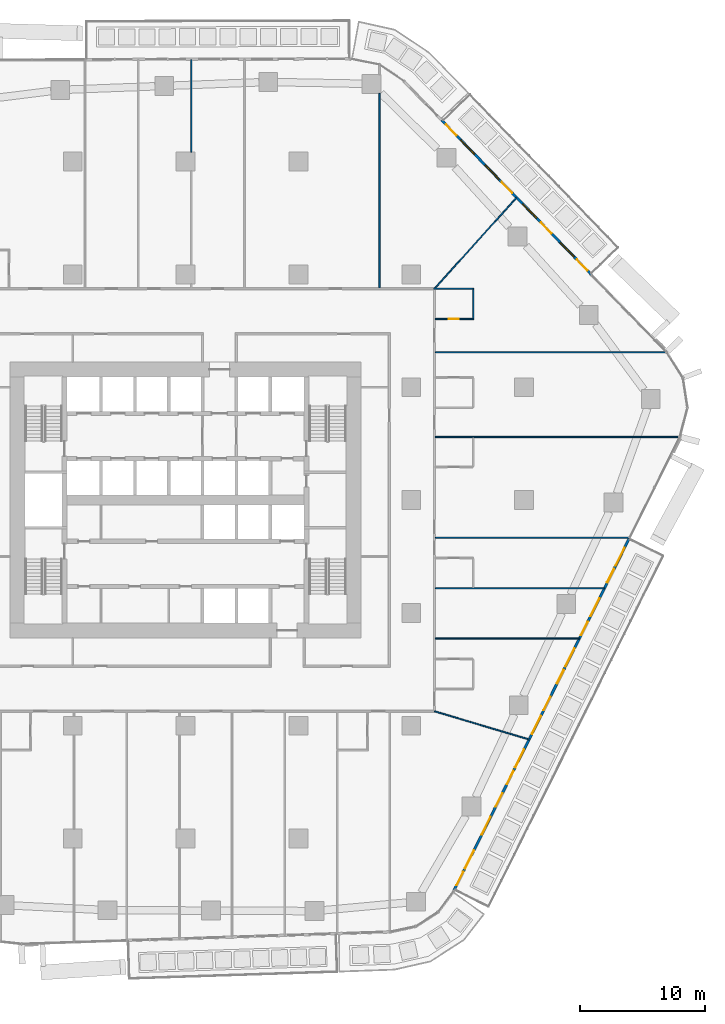
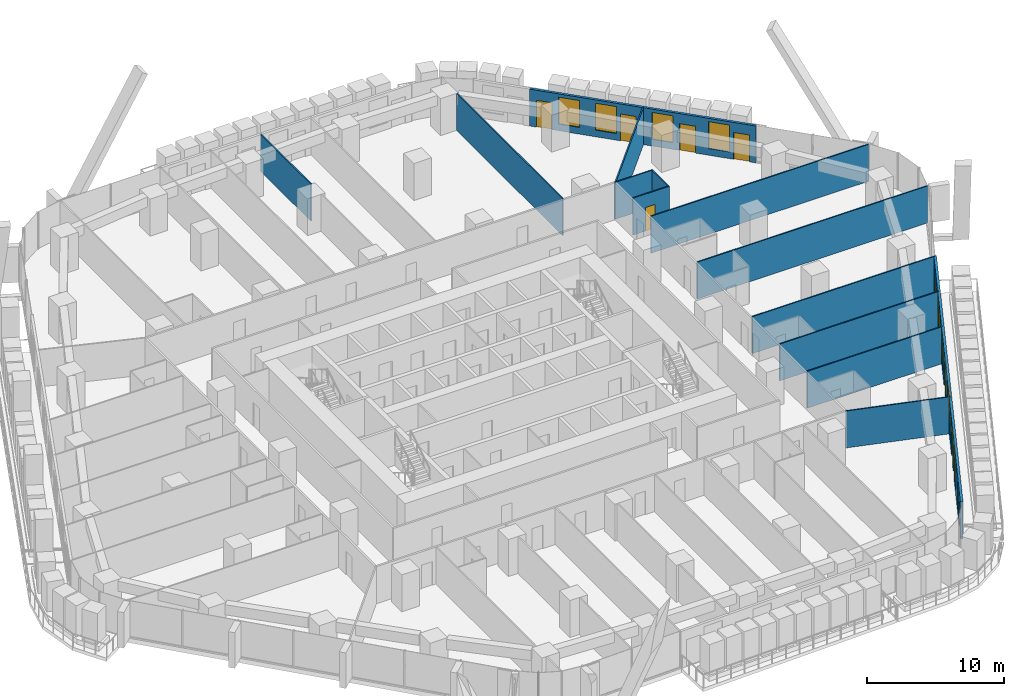
# One storey, part 18 of 27: 14 walls, 12 doors, 11 windows, 23 openings.
"""IFC4 building model written with IfcOpenShell, lengths in metres."""

from ifc_helpers import new_model, si_unit, direction, frame, frame_2d, origin, place, context, subcontext, project, spatial, rectangle, extrude, material, layer, layer_set, type_object, element, fill, save


model = new_model("IFC4")

# Units and contexts
model_context = context("Model", 3, precision=1e-05, world=origin(), true_north=direction((0.0, 1.0)))
body_context = subcontext(model_context, "Body", "Model", "MODEL_VIEW")
ifc_project = project(units=[si_unit("LENGTHUNIT", "METRE"), si_unit("AREAUNIT", "SQUARE_METRE"), si_unit("VOLUMEUNIT", "CUBIC_METRE"), si_unit("PLANEANGLEUNIT", "RADIAN"), si_unit("MASSUNIT", "GRAM", prefix="KILO")], contexts=[model_context])

# Site, building, storey
site_placement = place(None, origin())
site = spatial("IfcSite", under=ifc_project, at=site_placement, CompositionType="ELEMENT")
building_placement = place(site_placement, origin())
building = spatial("IfcBuilding", under=site, at=building_placement, Name="Dongbaek Canopy Tower", CompositionType="ELEMENT")
storey_placement = place(building_placement, frame((0.0, 0.0, 62.5)))
storey = spatial("IfcBuildingStorey", under=building, at=storey_placement, Name="L11", CompositionType="ELEMENT", Elevation=62.5)

# Walls
ifc_material_1 = material(Name="Gypsum board partition, steel stud, 2 x 12.5 mm board", Category="steel")
ifc_layer_1 = layer(ifc_material_1, 0.10009765625)
ifc_layer_set_1 = layer_set([ifc_layer_1], Name="Partition 100 gypsum board")
wall_type_1 = type_object("IfcWallType", Name="Partition 100 gypsum board", PredefinedType="PARTITIONING", material=ifc_layer_set_1)
wall_1_placement = place(storey_placement, frame((19.925048828125, -11.054931640625, 0.0), z_axis=(0.0, 0.0, 1.0), x_axis=(1.0, 0.0, 0.0)))
element("IfcWall", 1, at=wall_1_placement, inside=storey, type_object=wall_type_1, Name="Partition", PredefinedType="PARTITIONING", context=body_context, shape_type="SweptSolid", body=[
    extrude(rectangle(XDim=11.460205078125, YDim=0.10009765625, at=frame_2d((5.72998046875, 0.0))), origin(), (0.0, 0.0, 1.0), 3.300048828125),
])
wall_2_placement = place(storey_placement, frame((19.925048828125, -7.030029296875, 0.0), z_axis=(0.0, 0.0, 1.0), x_axis=(1.0, 0.0, 0.0)))
element("IfcWall", 2, at=wall_2_placement, inside=storey, type_object=wall_type_1, Name="Partition", PredefinedType="PARTITIONING", context=body_context, shape_type="SweptSolid", body=[
    extrude(rectangle(XDim=13.463623046875, YDim=0.10009765625, at=frame_2d((6.73193359375, 0.0))), origin(), (0.0, 0.0, 1.0), 3.300048828125),
])
wall_3_placement = place(storey_placement, frame((19.925048828125, -3.006103515625, 0.0), z_axis=(0.0, 0.0, 1.0), x_axis=(1.0, 0.0, 0.0)))
element("IfcWall", 3, at=wall_3_placement, inside=storey, type_object=wall_type_1, Name="Partition", PredefinedType="PARTITIONING", context=body_context, shape_type="SweptSolid", body=[
    extrude(rectangle(XDim=15.467041015625, YDim=0.10009765625, at=frame_2d((7.7333984375, 0.0))), origin(), (0.0, 0.0, 1.0), 3.300048828125),
])
wall_4_placement = place(storey_placement, frame((19.925048828125, 5.034912109375, 0.0), z_axis=(0.0, 0.0, 1.0), x_axis=(1.0, 0.0, 0.0)))
element("IfcWall", 4, at=wall_4_placement, inside=storey, type_object=wall_type_1, Name="Partition", PredefinedType="PARTITIONING", context=body_context, shape_type="SweptSolid", body=[
    extrude(rectangle(XDim=19.47021484375, YDim=0.10009765625, at=frame_2d((9.735107421875, 0.0))), origin(), (0.0, 0.0, 1.0), 3.300048828125),
])
wall_5_placement = place(storey_placement, frame((19.925048828125, 11.787109375, 0.0), z_axis=(0.0, 0.0, 1.0), x_axis=(1.0, 0.0, 0.0)))
element("IfcWall", 5, at=wall_5_placement, inside=storey, type_object=wall_type_1, Name="Partition", PredefinedType="PARTITIONING", context=body_context, shape_type="SweptSolid", body=[
    extrude(rectangle(XDim=18.416748046875, YDim=0.10009765625, at=frame_2d((9.20849609375, 0.0))), origin(), (0.0, 0.0, 1.0), 3.300048828125),
])

# Wall, opening, door
wall_6_placement = place(storey_placement, frame((19.925048828125, 14.449951171875, 0.0), z_axis=(0.0, 0.0, 1.0), x_axis=(1.0, 0.0, 0.0)))
wall_6 = element("IfcWall", 6, at=wall_6_placement, inside=storey, type_object=wall_type_1, Name="Partition", PredefinedType="PARTITIONING", context=body_context, shape_type="SweptSolid", body=[
    extrude(rectangle(XDim=3.074951171875, YDim=0.10009765625, at=frame_2d((1.53759765625, 0.0))), origin(), (0.0, 0.0, 1.0), 3.300048828125),
])
opening_1_placement = place(wall_6_placement, frame((1.074951171875, 0.0, 0.0)))
opening_1 = element("IfcOpeningElement", 7, at=opening_1_placement, cuts=wall_6, Name="Opening L11-D023", PredefinedType="OPENING", context=body_context, shape_type="SweptSolid", body=[
    extrude(rectangle(XDim=0.800048828125, YDim=2.10009765625, at=frame_2d((0.39990234375, 1.050048828125))), frame((0.0, 0.06005859375, 0.0), z_axis=(0.0, -1.0, 0.0), x_axis=(1.0, 0.0, 0.0)), (0.0, 0.0, 1.0), 0.1201171875),
])
ifc_material_2 = material(Name="Timber veneered door leaf", Category="wood")
door_type_1 = type_object("IfcDoorType", Name="En-suite door 800 x 2100", OperationType="SINGLE_SWING_LEFT", PredefinedType="DOOR", material=ifc_material_2)
door_1_placement = place(opening_1_placement, origin())
door_1 = element("IfcDoor", 8, at=door_1_placement, inside=storey, type_object=door_type_1, Name="Door L11-D023", OperationType="SINGLE_SWING_RIGHT", OverallHeight=2.10009765625, OverallWidth=0.800048828125, PredefinedType="DOOR", context=body_context, shape_type="SweptSolid", body=[
    extrude(rectangle(XDim=0.800048828125, YDim=2.10009765625, at=frame_2d((0.39990234375, 1.050048828125))), frame((0.0, 0.02490234375, 0.0), z_axis=(0.0, -1.0, 0.0), x_axis=(1.0, 0.0, 0.0)), (0.0, 0.0, 1.0), 0.050048828125),
])
fill(opening_1, door_1)

# Walls
wall_7_placement = place(storey_placement, frame((19.77490234375, 16.85009765625, 0.0), z_axis=(0.0, 0.0, 1.0), x_axis=(1.0, 0.0, 0.0)))
element("IfcWall", 9, at=wall_7_placement, inside=storey, type_object=wall_type_1, Name="Partition", PredefinedType="PARTITIONING", context=body_context, shape_type="SweptSolid", body=[
    extrude(rectangle(XDim=3.22509765625, YDim=0.10009765625, at=frame_2d((1.612548828125, 0.0))), origin(), (0.0, 0.0, 1.0), 3.300048828125),
])
wall_8_placement = place(storey_placement, frame((19.849853515625, 16.85009765625, 0.0), z_axis=(0.0, 0.0, 1.0), x_axis=(0.668734291705, 0.743501477536, 0.0)))
element("IfcWall", 10, at=wall_8_placement, inside=storey, type_object=wall_type_1, Name="Partition", PredefinedType="PARTITIONING", context=body_context, shape_type="SweptSolid", body=[
    extrude(rectangle(XDim=9.7763671875, YDim=0.10009765625, at=frame_2d((4.88818359375, 0.0))), origin(), (0.0, 0.0, 1.0), 3.300048828125),
])
wall_9_placement = place(storey_placement, frame((22.949951171875, 14.5, 0.0), z_axis=(0.0, 0.0, 1.0), x_axis=(0.0, 1.0, 0.0)))
element("IfcWall", 11, at=wall_9_placement, inside=storey, type_object=wall_type_1, Name="Partition", PredefinedType="PARTITIONING", context=body_context, shape_type="SweptSolid", body=[
    extrude(rectangle(XDim=2.300048828125, YDim=0.10009765625, at=frame_2d((1.14990234375, 0.0))), origin(), (0.0, 0.0, 1.0), 3.300048828125),
])
wall_10_placement = place(storey_placement, frame((15.47509765625, 16.925048828125, 0.0), z_axis=(0.0, 0.0, 1.0), x_axis=(0.0, 1.0, 0.0)))
element("IfcWall", 12, at=wall_10_placement, inside=storey, type_object=wall_type_1, Name="Partition", PredefinedType="PARTITIONING", context=body_context, shape_type="SweptSolid", body=[
    extrude(rectangle(XDim=15.51904296875, YDim=0.10009765625, at=frame_2d((7.759521484375, 0.0))), origin(), (0.0, 0.0, 1.0), 3.300048828125),
])
wall_11_placement = place(storey_placement, frame((0.450927734375, 27.75, 0.0), z_axis=(0.0, 0.0, 1.0), x_axis=(0.0, 1.0, 0.0)))
element("IfcWall", 13, at=wall_11_placement, inside=storey, type_object=wall_type_1, Name="Partition", PredefinedType="PARTITIONING", context=body_context, shape_type="SweptSolid", body=[
    extrude(rectangle(XDim=7.388671875, YDim=0.10009765625, at=frame_2d((3.6943359375, 0.0))), origin(), (0.0, 0.0, 1.0), 3.300048828125),
])
wall_12_placement = place(storey_placement, frame((19.849853515625, -16.850341796875, 0.0), z_axis=(0.0, 0.0, 1.0), x_axis=(0.958273131703, -0.285854167464, 0.0)))
element("IfcWall", 14, at=wall_12_placement, inside=storey, type_object=wall_type_1, Name="Partition", PredefinedType="PARTITIONING", context=body_context, shape_type="SweptSolid", body=[
    extrude(rectangle(XDim=7.859130859375, YDim=0.10009765625, at=frame_2d((3.9296875, 0.0))), origin(), (0.0, 0.0, 1.0), 3.300048828125),
])

# Wall, openings, doors, windows
ifc_material_3 = material(Name="Aluminium window wall", Category="aluminium")
ifc_layer_2 = layer(ifc_material_3, 0.199951171875)
ifc_layer_set_2 = layer_set([ifc_layer_2], Name="Window wall 200")
wall_type_2 = type_object("IfcWallType", Name="Window wall 200", PredefinedType="SOLIDWALL", material=ifc_layer_set_2)
wall_13_placement = place(storey_placement, frame((32.388916015625, 17.95703125, 0.0), z_axis=(0.0, 0.0, 1.0), x_axis=(-0.696038792441, 0.718004177855, 0.0)))
wall_13 = element("IfcWall", 15, at=wall_13_placement, inside=storey, type_object=wall_type_2, Name="Window wall L11 1", PredefinedType="SOLIDWALL", context=body_context, shape_type="SweptSolid", body=[
    extrude(rectangle(XDim=17.205810546875, YDim=0.199951171875, at=frame_2d((8.60302734375, 0.0))), origin(), (0.0, 0.0, 1.0), 3.300048828125),
])
opening_2_placement = place(wall_13_placement, frame((2.0, 0.0, 0.60009765625)))
opening_2 = element("IfcOpeningElement", 16, at=opening_2_placement, cuts=wall_13, Name="Opening W1", PredefinedType="OPENING", context=body_context, shape_type="SweptSolid", body=[
    extrude(rectangle(XDim=1.60009765625, YDim=2.39990234375, at=frame_2d((0.800048828125, 1.199951171875))), frame((0.0, 0.10986328125, 0.0), z_axis=(0.0, -1.0, 0.0), x_axis=(1.0, 0.0, 0.0)), (0.0, 0.0, 1.0), 0.219970703125),
])
opening_3_placement = place(wall_13_placement, frame((0.5, 0.0, 0.0)))
opening_3 = element("IfcOpeningElement", 17, at=opening_3_placement, cuts=wall_13, Name="Opening L11-B01", PredefinedType="OPENING", context=body_context, shape_type="SweptSolid", body=[
    extrude(rectangle(XDim=1.199951171875, YDim=2.39990234375, at=frame_2d((0.60009765625, 1.199951171875))), frame((0.0, 0.10986328125, 0.0), z_axis=(0.0, -1.0, 0.0), x_axis=(1.0, 0.0, 0.0)), (0.0, 0.0, 1.0), 0.219970703125),
])
opening_4_placement = place(wall_13_placement, frame((6.301513671875, 0.0, 0.60009765625)))
opening_4 = element("IfcOpeningElement", 18, at=opening_4_placement, cuts=wall_13, Name="Opening W1", PredefinedType="OPENING", context=body_context, shape_type="SweptSolid", body=[
    extrude(rectangle(XDim=1.60009765625, YDim=2.39990234375, at=frame_2d((0.800048828125, 1.199951171875))), frame((0.0, 0.10986328125, 0.0), z_axis=(0.0, -1.0, 0.0), x_axis=(1.0, 0.0, 0.0)), (0.0, 0.0, 1.0), 0.219970703125),
])
opening_5_placement = place(wall_13_placement, frame((4.601318359375, 0.0, 0.0)))
opening_5 = element("IfcOpeningElement", 19, at=opening_5_placement, cuts=wall_13, Name="Opening L11-B02", PredefinedType="OPENING", context=body_context, shape_type="SweptSolid", body=[
    extrude(rectangle(XDim=1.199951171875, YDim=2.39990234375, at=frame_2d((0.60009765625, 1.199951171875))), frame((0.0, 0.10986328125, 0.0), z_axis=(0.0, -1.0, 0.0), x_axis=(1.0, 0.0, 0.0)), (0.0, 0.0, 1.0), 0.219970703125),
])
opening_6_placement = place(wall_13_placement, frame((10.602783203125, 0.0, 0.60009765625)))
opening_6 = element("IfcOpeningElement", 20, at=opening_6_placement, cuts=wall_13, Name="Opening W1", PredefinedType="OPENING", context=body_context, shape_type="SweptSolid", body=[
    extrude(rectangle(XDim=1.60009765625, YDim=2.39990234375, at=frame_2d((0.800048828125, 1.199951171875))), frame((0.0, 0.10986328125, 0.0), z_axis=(0.0, -1.0, 0.0), x_axis=(1.0, 0.0, 0.0)), (0.0, 0.0, 1.0), 0.219970703125),
])
opening_7_placement = place(wall_13_placement, frame((9.102783203125, 0.0, 0.0)))
opening_7 = element("IfcOpeningElement", 21, at=opening_7_placement, cuts=wall_13, Name="Opening L11-B03", PredefinedType="OPENING", context=body_context, shape_type="SweptSolid", body=[
    extrude(rectangle(XDim=1.199951171875, YDim=2.39990234375, at=frame_2d((0.60009765625, 1.199951171875))), frame((0.0, 0.10986328125, 0.0), z_axis=(0.0, -1.0, 0.0), x_axis=(1.0, 0.0, 0.0)), (0.0, 0.0, 1.0), 0.219970703125),
])
opening_8_placement = place(wall_13_placement, frame((13.404296875, 0.0, 0.60009765625)))
opening_8 = element("IfcOpeningElement", 22, at=opening_8_placement, cuts=wall_13, Name="Opening W1", PredefinedType="OPENING", context=body_context, shape_type="SweptSolid", body=[
    extrude(rectangle(XDim=1.60009765625, YDim=2.39990234375, at=frame_2d((0.800048828125, 1.199951171875))), frame((0.0, 0.10986328125, 0.0), z_axis=(0.0, -1.0, 0.0), x_axis=(1.0, 0.0, 0.0)), (0.0, 0.0, 1.0), 0.219970703125),
])
opening_9_placement = place(wall_13_placement, frame((15.50439453125, 0.0, 0.0)))
opening_9 = element("IfcOpeningElement", 23, at=opening_9_placement, cuts=wall_13, Name="Opening L11-B04", PredefinedType="OPENING", context=body_context, shape_type="SweptSolid", body=[
    extrude(rectangle(XDim=1.199951171875, YDim=2.39990234375, at=frame_2d((0.60009765625, 1.199951171875))), frame((0.0, 0.10986328125, 0.0), z_axis=(0.0, -1.0, 0.0), x_axis=(1.0, 0.0, 0.0)), (0.0, 0.0, 1.0), 0.219970703125),
])
ifc_material_4 = material(Name="Clear glazing in aluminium frame", Category="aluminium")
door_type_2 = type_object("IfcDoorType", Name="Balcony door BD1 1200 x 2400", OperationType="SLIDING_TO_LEFT", PredefinedType="DOOR", material=ifc_material_4)
door_2_placement = place(opening_3_placement, origin())
door_2 = element("IfcDoor", 24, at=door_2_placement, inside=storey, type_object=door_type_2, Name="Balcony door L11-B01", OperationType="SLIDING_TO_LEFT", OverallHeight=2.39990234375, OverallWidth=1.199951171875, PredefinedType="DOOR", context=body_context, shape_type="SweptSolid", body=[
    extrude(rectangle(XDim=1.199951171875, YDim=2.39990234375, at=frame_2d((0.60009765625, 1.199951171875))), frame((0.0, 0.02490234375, 0.0), z_axis=(0.0, -1.0, 0.0), x_axis=(1.0, 0.0, 0.0)), (0.0, 0.0, 1.0), 0.050048828125),
])
fill(opening_3, door_2)
door_3_placement = place(opening_5_placement, origin())
door_3 = element("IfcDoor", 25, at=door_3_placement, inside=storey, type_object=door_type_2, Name="Balcony door L11-B02", OperationType="SLIDING_TO_LEFT", OverallHeight=2.39990234375, OverallWidth=1.199951171875, PredefinedType="DOOR", context=body_context, shape_type="SweptSolid", body=[
    extrude(rectangle(XDim=1.199951171875, YDim=2.39990234375, at=frame_2d((0.60009765625, 1.199951171875))), frame((0.0, 0.02490234375, 0.0), z_axis=(0.0, -1.0, 0.0), x_axis=(1.0, 0.0, 0.0)), (0.0, 0.0, 1.0), 0.050048828125),
])
fill(opening_5, door_3)
door_4_placement = place(opening_7_placement, origin())
door_4 = element("IfcDoor", 26, at=door_4_placement, inside=storey, type_object=door_type_2, Name="Balcony door L11-B03", OperationType="SLIDING_TO_LEFT", OverallHeight=2.39990234375, OverallWidth=1.199951171875, PredefinedType="DOOR", context=body_context, shape_type="SweptSolid", body=[
    extrude(rectangle(XDim=1.199951171875, YDim=2.39990234375, at=frame_2d((0.60009765625, 1.199951171875))), frame((0.0, 0.02490234375, 0.0), z_axis=(0.0, -1.0, 0.0), x_axis=(1.0, 0.0, 0.0)), (0.0, 0.0, 1.0), 0.050048828125),
])
fill(opening_7, door_4)
door_5_placement = place(opening_9_placement, origin())
door_5 = element("IfcDoor", 27, at=door_5_placement, inside=storey, type_object=door_type_2, Name="Balcony door L11-B04", OperationType="SLIDING_TO_LEFT", OverallHeight=2.39990234375, OverallWidth=1.199951171875, PredefinedType="DOOR", context=body_context, shape_type="SweptSolid", body=[
    extrude(rectangle(XDim=1.199951171875, YDim=2.39990234375, at=frame_2d((0.60009765625, 1.199951171875))), frame((0.0, 0.02490234375, 0.0), z_axis=(0.0, -1.0, 0.0), x_axis=(1.0, 0.0, 0.0)), (0.0, 0.0, 1.0), 0.050048828125),
])
fill(opening_9, door_5)
ifc_material_5 = material(Name="Clear glazing in aluminium frame", Category="aluminium")
window_type = type_object("IfcWindowType", Name="Window W1 1600 x 2400", PartitioningType="SINGLE_PANEL", PredefinedType="WINDOW", material=ifc_material_5)
window_1_placement = place(opening_2_placement, origin())
window_1 = element("IfcWindow", 28, at=window_1_placement, inside=storey, type_object=window_type, Name="Window L11 1.1", OverallHeight=2.39990234375, OverallWidth=1.60009765625, PartitioningType="SINGLE_PANEL", PredefinedType="WINDOW", context=body_context, shape_type="SweptSolid", body=[
    extrude(rectangle(XDim=1.60009765625, YDim=2.39990234375, at=frame_2d((0.800048828125, 1.199951171875))), frame((0.0, 0.030029296875, 0.0), z_axis=(0.0, -1.0, 0.0), x_axis=(1.0, 0.0, 0.0)), (0.0, 0.0, 1.0), 0.06005859375),
])
fill(opening_2, window_1)
window_2_placement = place(opening_4_placement, origin())
window_2 = element("IfcWindow", 29, at=window_2_placement, inside=storey, type_object=window_type, Name="Window L11 1.2", OverallHeight=2.39990234375, OverallWidth=1.60009765625, PartitioningType="SINGLE_PANEL", PredefinedType="WINDOW", context=body_context, shape_type="SweptSolid", body=[
    extrude(rectangle(XDim=1.60009765625, YDim=2.39990234375, at=frame_2d((0.800048828125, 1.199951171875))), frame((0.0, 0.030029296875, 0.0), z_axis=(0.0, -1.0, 0.0), x_axis=(1.0, 0.0, 0.0)), (0.0, 0.0, 1.0), 0.06005859375),
])
fill(opening_4, window_2)
window_3_placement = place(opening_6_placement, origin())
window_3 = element("IfcWindow", 30, at=window_3_placement, inside=storey, type_object=window_type, Name="Window L11 1.3", OverallHeight=2.39990234375, OverallWidth=1.60009765625, PartitioningType="SINGLE_PANEL", PredefinedType="WINDOW", context=body_context, shape_type="SweptSolid", body=[
    extrude(rectangle(XDim=1.60009765625, YDim=2.39990234375, at=frame_2d((0.800048828125, 1.199951171875))), frame((0.0, 0.030029296875, 0.0), z_axis=(0.0, -1.0, 0.0), x_axis=(1.0, 0.0, 0.0)), (0.0, 0.0, 1.0), 0.06005859375),
])
fill(opening_6, window_3)
window_4_placement = place(opening_8_placement, origin())
window_4 = element("IfcWindow", 31, at=window_4_placement, inside=storey, type_object=window_type, Name="Window L11 1.4", OverallHeight=2.39990234375, OverallWidth=1.60009765625, PartitioningType="SINGLE_PANEL", PredefinedType="WINDOW", context=body_context, shape_type="SweptSolid", body=[
    extrude(rectangle(XDim=1.60009765625, YDim=2.39990234375, at=frame_2d((0.800048828125, 1.199951171875))), frame((0.0, 0.030029296875, 0.0), z_axis=(0.0, -1.0, 0.0), x_axis=(1.0, 0.0, 0.0)), (0.0, 0.0, 1.0), 0.06005859375),
])
fill(opening_8, window_4)

wall_14_placement = place(storey_placement, frame((21.390625, -31.1748046875, 0.0), z_axis=(0.0, 0.0, 1.0), x_axis=(0.445673586032, 0.895195539932, 0.0)))
wall_14 = element("IfcWall", 32, at=wall_14_placement, inside=storey, type_object=wall_type_2, Name="Window wall L11 5", PredefinedType="SOLIDWALL", context=body_context, shape_type="SweptSolid", body=[
    extrude(rectangle(XDim=31.46630859375, YDim=0.199951171875, at=frame_2d((15.733154296875, 0.0))), origin(), (0.0, 0.0, 1.0), 3.300048828125),
])
opening_10_placement = place(wall_14_placement, frame((2.0, 0.0, 0.60009765625)))
opening_10 = element("IfcOpeningElement", 33, at=opening_10_placement, cuts=wall_14, Name="Opening W1", PredefinedType="OPENING", context=body_context, shape_type="SweptSolid", body=[
    extrude(rectangle(XDim=1.60009765625, YDim=2.39990234375, at=frame_2d((0.800048828125, 1.199951171875))), frame((0.0, 0.10986328125, 0.0), z_axis=(0.0, -1.0, 0.0), x_axis=(1.0, 0.0, 0.0)), (0.0, 0.0, 1.0), 0.219970703125),
])
opening_11_placement = place(wall_14_placement, frame((0.5, 0.0, 0.0)))
opening_11 = element("IfcOpeningElement", 34, at=opening_11_placement, cuts=wall_14, Name="Opening L11-B23", PredefinedType="OPENING", context=body_context, shape_type="SweptSolid", body=[
    extrude(rectangle(XDim=1.199951171875, YDim=2.39990234375, at=frame_2d((0.60009765625, 1.199951171875))), frame((0.0, 0.10986328125, 0.0), z_axis=(0.0, -1.0, 0.0), x_axis=(1.0, 0.0, 0.0)), (0.0, 0.0, 1.0), 0.219970703125),
])
opening_12_placement = place(wall_14_placement, frame((4.9951171875, 0.0, 0.60009765625)))
opening_12 = element("IfcOpeningElement", 35, at=opening_12_placement, cuts=wall_14, Name="Opening W1", PredefinedType="OPENING", context=body_context, shape_type="SweptSolid", body=[
    extrude(rectangle(XDim=1.60009765625, YDim=2.39990234375, at=frame_2d((0.800048828125, 1.199951171875))), frame((0.0, 0.10986328125, 0.0), z_axis=(0.0, -1.0, 0.0), x_axis=(1.0, 0.0, 0.0)), (0.0, 0.0, 1.0), 0.219970703125),
])
opening_13_placement = place(wall_14_placement, frame((7.4951171875, 0.0, 0.0)))
opening_13 = element("IfcOpeningElement", 36, at=opening_13_placement, cuts=wall_14, Name="Opening L11-B24", PredefinedType="OPENING", context=body_context, shape_type="SweptSolid", body=[
    extrude(rectangle(XDim=1.199951171875, YDim=2.39990234375, at=frame_2d((0.60009765625, 1.199951171875))), frame((0.0, 0.10986328125, 0.0), z_axis=(0.0, -1.0, 0.0), x_axis=(1.0, 0.0, 0.0)), (0.0, 0.0, 1.0), 0.219970703125),
])
opening_14_placement = place(wall_14_placement, frame((10.990234375, 0.0, 0.60009765625)))
opening_14 = element("IfcOpeningElement", 37, at=opening_14_placement, cuts=wall_14, Name="Opening W1", PredefinedType="OPENING", context=body_context, shape_type="SweptSolid", body=[
    extrude(rectangle(XDim=1.60009765625, YDim=2.39990234375, at=frame_2d((0.800048828125, 1.199951171875))), frame((0.0, 0.10986328125, 0.0), z_axis=(0.0, -1.0, 0.0), x_axis=(1.0, 0.0, 0.0)), (0.0, 0.0, 1.0), 0.219970703125),
])
opening_15_placement = place(wall_14_placement, frame((9.490234375, 0.0, 0.0)))
opening_15 = element("IfcOpeningElement", 38, at=opening_15_placement, cuts=wall_14, Name="Opening L11-B25", PredefinedType="OPENING", context=body_context, shape_type="SweptSolid", body=[
    extrude(rectangle(XDim=1.199951171875, YDim=2.39990234375, at=frame_2d((0.60009765625, 1.199951171875))), frame((0.0, 0.10986328125, 0.0), z_axis=(0.0, -1.0, 0.0), x_axis=(1.0, 0.0, 0.0)), (0.0, 0.0, 1.0), 0.219970703125),
])
opening_16_placement = place(wall_14_placement, frame((13.985595703125, 0.0, 0.60009765625)))
opening_16 = element("IfcOpeningElement", 39, at=opening_16_placement, cuts=wall_14, Name="Opening W1", PredefinedType="OPENING", context=body_context, shape_type="SweptSolid", body=[
    extrude(rectangle(XDim=1.60009765625, YDim=2.39990234375, at=frame_2d((0.800048828125, 1.199951171875))), frame((0.0, 0.10986328125, 0.0), z_axis=(0.0, -1.0, 0.0), x_axis=(1.0, 0.0, 0.0)), (0.0, 0.0, 1.0), 0.219970703125),
])
opening_17_placement = place(wall_14_placement, frame((16.08544921875, 0.0, 0.0)))
opening_17 = element("IfcOpeningElement", 40, at=opening_17_placement, cuts=wall_14, Name="Opening L11-B26", PredefinedType="OPENING", context=body_context, shape_type="SweptSolid", body=[
    extrude(rectangle(XDim=1.199951171875, YDim=2.39990234375, at=frame_2d((0.60009765625, 1.199951171875))), frame((0.0, 0.10986328125, 0.0), z_axis=(0.0, -1.0, 0.0), x_axis=(1.0, 0.0, 0.0)), (0.0, 0.0, 1.0), 0.219970703125),
])
opening_18_placement = place(wall_14_placement, frame((19.980712890625, 0.0, 0.60009765625)))
opening_18 = element("IfcOpeningElement", 41, at=opening_18_placement, cuts=wall_14, Name="Opening W1", PredefinedType="OPENING", context=body_context, shape_type="SweptSolid", body=[
    extrude(rectangle(XDim=1.60009765625, YDim=2.39990234375, at=frame_2d((0.800048828125, 1.199951171875))), frame((0.0, 0.10986328125, 0.0), z_axis=(0.0, -1.0, 0.0), x_axis=(1.0, 0.0, 0.0)), (0.0, 0.0, 1.0), 0.219970703125),
])
opening_19_placement = place(wall_14_placement, frame((18.480712890625, 0.0, 0.0)))
opening_19 = element("IfcOpeningElement", 42, at=opening_19_placement, cuts=wall_14, Name="Opening L11-B27", PredefinedType="OPENING", context=body_context, shape_type="SweptSolid", body=[
    extrude(rectangle(XDim=1.199951171875, YDim=2.39990234375, at=frame_2d((0.60009765625, 1.199951171875))), frame((0.0, 0.10986328125, 0.0), z_axis=(0.0, -1.0, 0.0), x_axis=(1.0, 0.0, 0.0)), (0.0, 0.0, 1.0), 0.219970703125),
])
opening_20_placement = place(wall_14_placement, frame((24.475830078125, 0.0, 0.60009765625)))
opening_20 = element("IfcOpeningElement", 43, at=opening_20_placement, cuts=wall_14, Name="Opening W1", PredefinedType="OPENING", context=body_context, shape_type="SweptSolid", body=[
    extrude(rectangle(XDim=1.60009765625, YDim=2.39990234375, at=frame_2d((0.800048828125, 1.199951171875))), frame((0.0, 0.10986328125, 0.0), z_axis=(0.0, -1.0, 0.0), x_axis=(1.0, 0.0, 0.0)), (0.0, 0.0, 1.0), 0.219970703125),
])
opening_21_placement = place(wall_14_placement, frame((22.77587890625, 0.0, 0.0)))
opening_21 = element("IfcOpeningElement", 44, at=opening_21_placement, cuts=wall_14, Name="Opening L11-B28", PredefinedType="OPENING", context=body_context, shape_type="SweptSolid", body=[
    extrude(rectangle(XDim=1.199951171875, YDim=2.39990234375, at=frame_2d((0.60009765625, 1.199951171875))), frame((0.0, 0.10986328125, 0.0), z_axis=(0.0, -1.0, 0.0), x_axis=(1.0, 0.0, 0.0)), (0.0, 0.0, 1.0), 0.219970703125),
])
opening_22_placement = place(wall_14_placement, frame((28.970947265625, 0.0, 0.60009765625)))
opening_22 = element("IfcOpeningElement", 45, at=opening_22_placement, cuts=wall_14, Name="Opening W1", PredefinedType="OPENING", context=body_context, shape_type="SweptSolid", body=[
    extrude(rectangle(XDim=1.60009765625, YDim=2.39990234375, at=frame_2d((0.800048828125, 1.199951171875))), frame((0.0, 0.10986328125, 0.0), z_axis=(0.0, -1.0, 0.0), x_axis=(1.0, 0.0, 0.0)), (0.0, 0.0, 1.0), 0.219970703125),
])
opening_23_placement = place(wall_14_placement, frame((27.470947265625, 0.0, 0.0)))
opening_23 = element("IfcOpeningElement", 46, at=opening_23_placement, cuts=wall_14, Name="Opening L11-B29", PredefinedType="OPENING", context=body_context, shape_type="SweptSolid", body=[
    extrude(rectangle(XDim=1.199951171875, YDim=2.39990234375, at=frame_2d((0.60009765625, 1.199951171875))), frame((0.0, 0.10986328125, 0.0), z_axis=(0.0, -1.0, 0.0), x_axis=(1.0, 0.0, 0.0)), (0.0, 0.0, 1.0), 0.219970703125),
])
door_6_placement = place(opening_11_placement, origin())
door_6 = element("IfcDoor", 47, at=door_6_placement, inside=storey, type_object=door_type_2, Name="Balcony door L11-B23", OperationType="SLIDING_TO_LEFT", OverallHeight=2.39990234375, OverallWidth=1.199951171875, PredefinedType="DOOR", context=body_context, shape_type="SweptSolid", body=[
    extrude(rectangle(XDim=1.199951171875, YDim=2.39990234375, at=frame_2d((0.60009765625, 1.199951171875))), frame((0.0, 0.02490234375, 0.0), z_axis=(0.0, -1.0, 0.0), x_axis=(1.0, 0.0, 0.0)), (0.0, 0.0, 1.0), 0.050048828125),
])
fill(opening_11, door_6)
door_7_placement = place(opening_13_placement, origin())
door_7 = element("IfcDoor", 48, at=door_7_placement, inside=storey, type_object=door_type_2, Name="Balcony door L11-B24", OperationType="SLIDING_TO_LEFT", OverallHeight=2.39990234375, OverallWidth=1.199951171875, PredefinedType="DOOR", context=body_context, shape_type="SweptSolid", body=[
    extrude(rectangle(XDim=1.199951171875, YDim=2.39990234375, at=frame_2d((0.60009765625, 1.199951171875))), frame((0.0, 0.02490234375, 0.0), z_axis=(0.0, -1.0, 0.0), x_axis=(1.0, 0.0, 0.0)), (0.0, 0.0, 1.0), 0.050048828125),
])
fill(opening_13, door_7)
door_8_placement = place(opening_15_placement, origin())
door_8 = element("IfcDoor", 49, at=door_8_placement, inside=storey, type_object=door_type_2, Name="Balcony door L11-B25", OperationType="SLIDING_TO_LEFT", OverallHeight=2.39990234375, OverallWidth=1.199951171875, PredefinedType="DOOR", context=body_context, shape_type="SweptSolid", body=[
    extrude(rectangle(XDim=1.199951171875, YDim=2.39990234375, at=frame_2d((0.60009765625, 1.199951171875))), frame((0.0, 0.02490234375, 0.0), z_axis=(0.0, -1.0, 0.0), x_axis=(1.0, 0.0, 0.0)), (0.0, 0.0, 1.0), 0.050048828125),
])
fill(opening_15, door_8)
door_9_placement = place(opening_17_placement, origin())
door_9 = element("IfcDoor", 50, at=door_9_placement, inside=storey, type_object=door_type_2, Name="Balcony door L11-B26", OperationType="SLIDING_TO_LEFT", OverallHeight=2.39990234375, OverallWidth=1.199951171875, PredefinedType="DOOR", context=body_context, shape_type="SweptSolid", body=[
    extrude(rectangle(XDim=1.199951171875, YDim=2.39990234375, at=frame_2d((0.60009765625, 1.199951171875))), frame((0.0, 0.02490234375, 0.0), z_axis=(0.0, -1.0, 0.0), x_axis=(1.0, 0.0, 0.0)), (0.0, 0.0, 1.0), 0.050048828125),
])
fill(opening_17, door_9)
door_10_placement = place(opening_19_placement, origin())
door_10 = element("IfcDoor", 51, at=door_10_placement, inside=storey, type_object=door_type_2, Name="Balcony door L11-B27", OperationType="SLIDING_TO_LEFT", OverallHeight=2.39990234375, OverallWidth=1.199951171875, PredefinedType="DOOR", context=body_context, shape_type="SweptSolid", body=[
    extrude(rectangle(XDim=1.199951171875, YDim=2.39990234375, at=frame_2d((0.60009765625, 1.199951171875))), frame((0.0, 0.02490234375, 0.0), z_axis=(0.0, -1.0, 0.0), x_axis=(1.0, 0.0, 0.0)), (0.0, 0.0, 1.0), 0.050048828125),
])
fill(opening_19, door_10)
door_11_placement = place(opening_21_placement, origin())
door_11 = element("IfcDoor", 52, at=door_11_placement, inside=storey, type_object=door_type_2, Name="Balcony door L11-B28", OperationType="SLIDING_TO_LEFT", OverallHeight=2.39990234375, OverallWidth=1.199951171875, PredefinedType="DOOR", context=body_context, shape_type="SweptSolid", body=[
    extrude(rectangle(XDim=1.199951171875, YDim=2.39990234375, at=frame_2d((0.60009765625, 1.199951171875))), frame((0.0, 0.02490234375, 0.0), z_axis=(0.0, -1.0, 0.0), x_axis=(1.0, 0.0, 0.0)), (0.0, 0.0, 1.0), 0.050048828125),
])
fill(opening_21, door_11)
door_12_placement = place(opening_23_placement, origin())
door_12 = element("IfcDoor", 53, at=door_12_placement, inside=storey, type_object=door_type_2, Name="Balcony door L11-B29", OperationType="SLIDING_TO_LEFT", OverallHeight=2.39990234375, OverallWidth=1.199951171875, PredefinedType="DOOR", context=body_context, shape_type="SweptSolid", body=[
    extrude(rectangle(XDim=1.199951171875, YDim=2.39990234375, at=frame_2d((0.60009765625, 1.199951171875))), frame((0.0, 0.02490234375, 0.0), z_axis=(0.0, -1.0, 0.0), x_axis=(1.0, 0.0, 0.0)), (0.0, 0.0, 1.0), 0.050048828125),
])
fill(opening_23, door_12)
window_5_placement = place(opening_10_placement, origin())
window_5 = element("IfcWindow", 54, at=window_5_placement, inside=storey, type_object=window_type, Name="Window L11 5.1", OverallHeight=2.39990234375, OverallWidth=1.60009765625, PartitioningType="SINGLE_PANEL", PredefinedType="WINDOW", context=body_context, shape_type="SweptSolid", body=[
    extrude(rectangle(XDim=1.60009765625, YDim=2.39990234375, at=frame_2d((0.800048828125, 1.199951171875))), frame((0.0, 0.030029296875, 0.0), z_axis=(0.0, -1.0, 0.0), x_axis=(1.0, 0.0, 0.0)), (0.0, 0.0, 1.0), 0.06005859375),
])
fill(opening_10, window_5)
window_6_placement = place(opening_12_placement, origin())
window_6 = element("IfcWindow", 55, at=window_6_placement, inside=storey, type_object=window_type, Name="Window L11 5.2", OverallHeight=2.39990234375, OverallWidth=1.60009765625, PartitioningType="SINGLE_PANEL", PredefinedType="WINDOW", context=body_context, shape_type="SweptSolid", body=[
    extrude(rectangle(XDim=1.60009765625, YDim=2.39990234375, at=frame_2d((0.800048828125, 1.199951171875))), frame((0.0, 0.030029296875, 0.0), z_axis=(0.0, -1.0, 0.0), x_axis=(1.0, 0.0, 0.0)), (0.0, 0.0, 1.0), 0.06005859375),
])
fill(opening_12, window_6)
window_7_placement = place(opening_14_placement, origin())
window_7 = element("IfcWindow", 56, at=window_7_placement, inside=storey, type_object=window_type, Name="Window L11 5.3", OverallHeight=2.39990234375, OverallWidth=1.60009765625, PartitioningType="SINGLE_PANEL", PredefinedType="WINDOW", context=body_context, shape_type="SweptSolid", body=[
    extrude(rectangle(XDim=1.60009765625, YDim=2.39990234375, at=frame_2d((0.800048828125, 1.199951171875))), frame((0.0, 0.030029296875, 0.0), z_axis=(0.0, -1.0, 0.0), x_axis=(1.0, 0.0, 0.0)), (0.0, 0.0, 1.0), 0.06005859375),
])
fill(opening_14, window_7)
window_8_placement = place(opening_16_placement, origin())
window_8 = element("IfcWindow", 57, at=window_8_placement, inside=storey, type_object=window_type, Name="Window L11 5.4", OverallHeight=2.39990234375, OverallWidth=1.60009765625, PartitioningType="SINGLE_PANEL", PredefinedType="WINDOW", context=body_context, shape_type="SweptSolid", body=[
    extrude(rectangle(XDim=1.60009765625, YDim=2.39990234375, at=frame_2d((0.800048828125, 1.199951171875))), frame((0.0, 0.030029296875, 0.0), z_axis=(0.0, -1.0, 0.0), x_axis=(1.0, 0.0, 0.0)), (0.0, 0.0, 1.0), 0.06005859375),
])
fill(opening_16, window_8)
window_9_placement = place(opening_18_placement, origin())
window_9 = element("IfcWindow", 58, at=window_9_placement, inside=storey, type_object=window_type, Name="Window L11 5.5", OverallHeight=2.39990234375, OverallWidth=1.60009765625, PartitioningType="SINGLE_PANEL", PredefinedType="WINDOW", context=body_context, shape_type="SweptSolid", body=[
    extrude(rectangle(XDim=1.60009765625, YDim=2.39990234375, at=frame_2d((0.800048828125, 1.199951171875))), frame((0.0, 0.030029296875, 0.0), z_axis=(0.0, -1.0, 0.0), x_axis=(1.0, 0.0, 0.0)), (0.0, 0.0, 1.0), 0.06005859375),
])
fill(opening_18, window_9)
window_10_placement = place(opening_20_placement, origin())
window_10 = element("IfcWindow", 59, at=window_10_placement, inside=storey, type_object=window_type, Name="Window L11 5.6", OverallHeight=2.39990234375, OverallWidth=1.60009765625, PartitioningType="SINGLE_PANEL", PredefinedType="WINDOW", context=body_context, shape_type="SweptSolid", body=[
    extrude(rectangle(XDim=1.60009765625, YDim=2.39990234375, at=frame_2d((0.800048828125, 1.199951171875))), frame((0.0, 0.030029296875, 0.0), z_axis=(0.0, -1.0, 0.0), x_axis=(1.0, 0.0, 0.0)), (0.0, 0.0, 1.0), 0.06005859375),
])
fill(opening_20, window_10)
window_11_placement = place(opening_22_placement, origin())
window_11 = element("IfcWindow", 60, at=window_11_placement, inside=storey, type_object=window_type, Name="Window L11 5.7", OverallHeight=2.39990234375, OverallWidth=1.60009765625, PartitioningType="SINGLE_PANEL", PredefinedType="WINDOW", context=body_context, shape_type="SweptSolid", body=[
    extrude(rectangle(XDim=1.60009765625, YDim=2.39990234375, at=frame_2d((0.800048828125, 1.199951171875))), frame((0.0, 0.030029296875, 0.0), z_axis=(0.0, -1.0, 0.0), x_axis=(1.0, 0.0, 0.0)), (0.0, 0.0, 1.0), 0.06005859375),
])
fill(opening_22, window_11)

save(model, "model.ifc")
